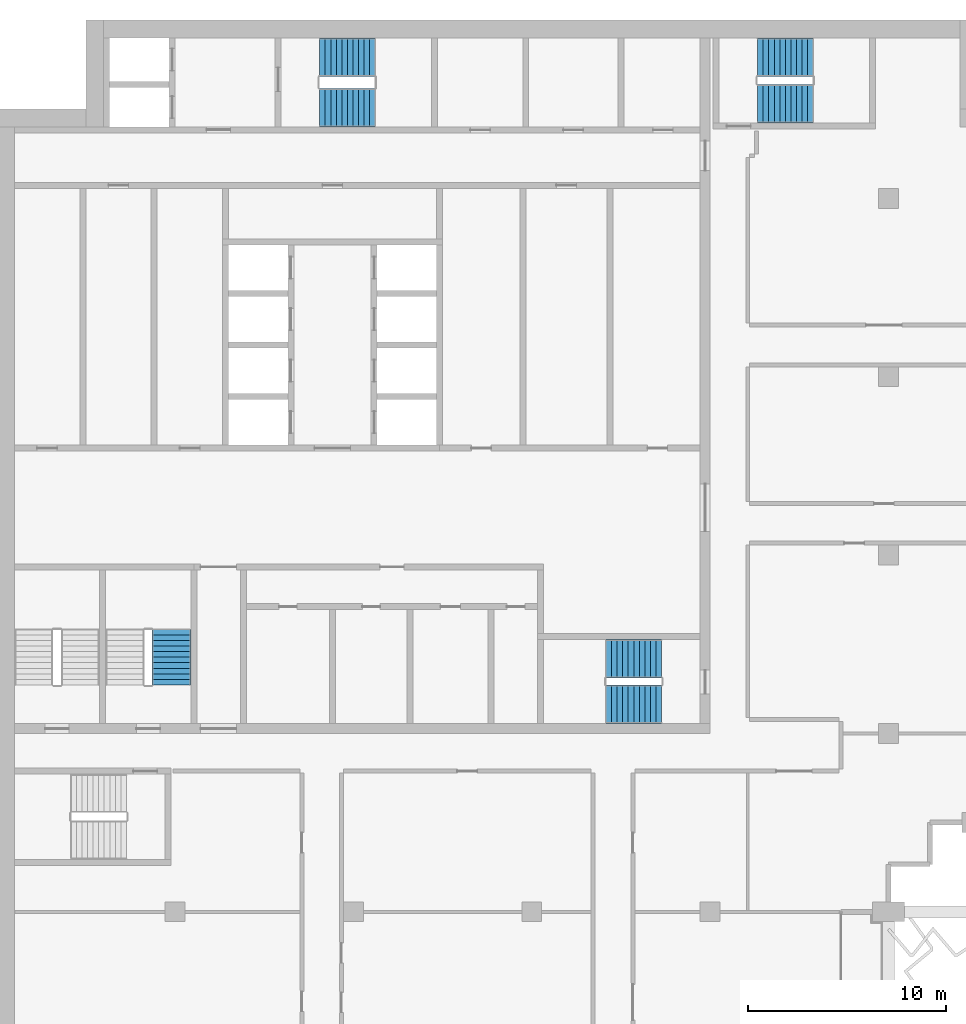
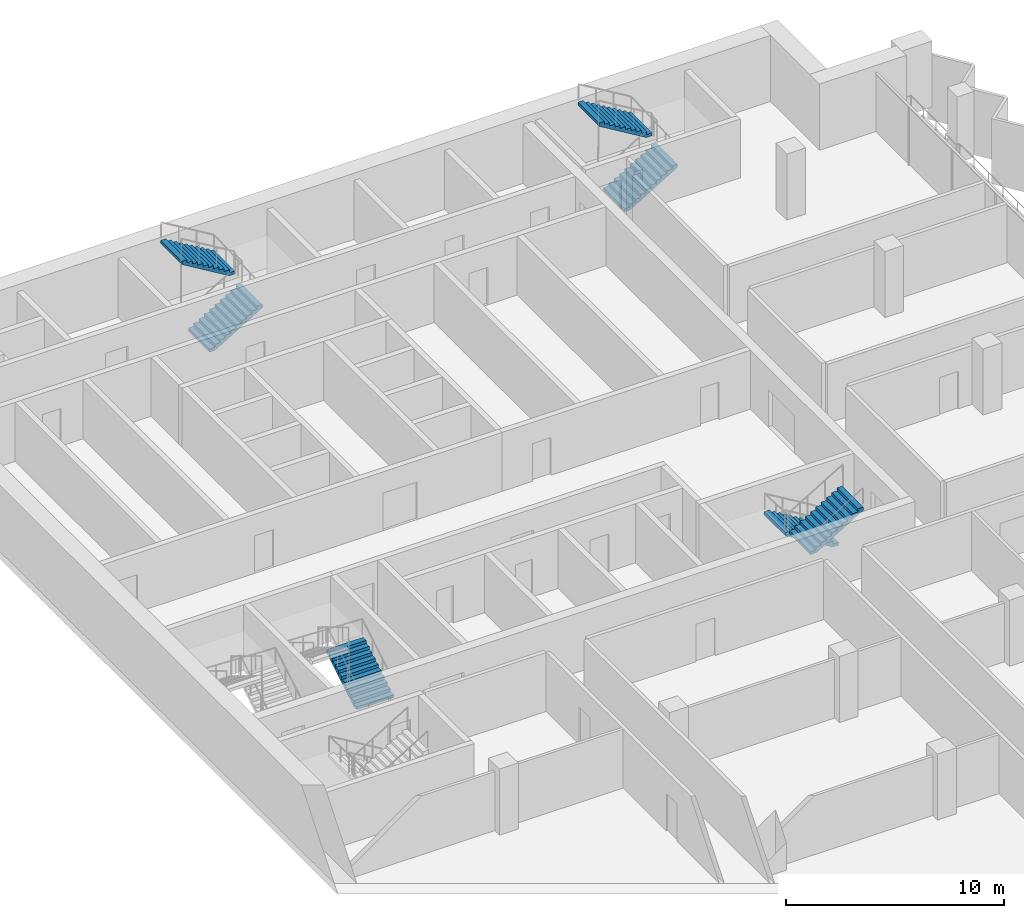
# One storey, part 12 of 16: 7 stair flights, 4 elements without a shape of their own.
"""IFC4 building model written with IfcOpenShell, lengths in metres."""

from ifc_helpers import new_model, si_unit, direction, frame, origin, place, context, subcontext, project, spatial, polyline, outline, extrude, material, type_object, element, aggregate, save


model = new_model("IFC4")

# Units and contexts
model_context = context("Model", 3, precision=1e-05, world=origin(), true_north=direction((0.0, 1.0)))
body_context = subcontext(model_context, "Body", "Model", "MODEL_VIEW")
ifc_project = project(units=[si_unit("LENGTHUNIT", "METRE"), si_unit("AREAUNIT", "SQUARE_METRE"), si_unit("VOLUMEUNIT", "CUBIC_METRE"), si_unit("PLANEANGLEUNIT", "RADIAN"), si_unit("MASSUNIT", "GRAM", prefix="KILO")], contexts=[model_context])

# Site, building, storey
site_placement = place(None, origin())
site = spatial("IfcSite", under=ifc_project, at=site_placement, CompositionType="ELEMENT")
building_placement = place(site_placement, origin())
building = spatial("IfcBuilding", under=site, at=building_placement, Name="Hunhe Ridgeline Campus", CompositionType="ELEMENT")
storey_placement = place(building_placement, frame((0.0, 0.0, 250.300048828125)))
storey = spatial("IfcBuildingStorey", under=building, at=storey_placement, Name="L64", CompositionType="ELEMENT", Elevation=250.300048828125)

# Stair, stair flights
ifc_material = material(Name="Concrete C40", Category="concrete")
stair_type = type_object("IfcStairType", Name="Reinforced concrete dog-leg stair 1950 Concrete C40", PredefinedType="HALF_TURN_STAIR", material=ifc_material)
stair_1_placement = place(storey_placement, origin())
stair_1 = element("IfcStair", 1, at=stair_1_placement, inside=storey, type_object=stair_type, Name="L64 S1", PredefinedType="HALF_TURN_STAIR")
stair_flight_type = type_object("IfcStairFlightType", Name="Reinforced concrete stair flight 1950 Concrete C40", PredefinedType="STRAIGHT", material=ifc_material)
stair_flight_1_placement = place(storey_placement, frame((16.300048828125, 94.574951171875, 0.0), z_axis=(0.0, 0.0, 1.0), x_axis=(1.0, 0.0, 0.0)))
stair_flight_1 = element("IfcStairFlight", 2, at=stair_flight_1_placement, type_object=stair_flight_type, Name="ST1 flight 1", NumberOfRisers=11, NumberOfTreads=10, PredefinedType="STRAIGHT", RiserHeight=0.168181818, TreadLength=0.28, context=body_context, shape_type="SweptSolid", body=[
    extrude(outline(polyline([(0.0, 0.0), (0.0, 0.168212890625), (0.280029296875, 0.168212890625), (0.280029296875, 0.33642578125), (0.56005859375, 0.33642578125), (0.56005859375, 0.504638671875), (0.840087890625, 0.504638671875), (0.840087890625, 0.672607421875), (1.1201171875, 0.672607421875), (1.1201171875, 0.8408203125), (1.39990234375, 0.8408203125), (1.39990234375, 1.009033203125), (1.679931640625, 1.009033203125), (1.679931640625, 1.17724609375), (1.9599609375, 1.17724609375), (1.9599609375, 1.345458984375), (2.239990234375, 1.345458984375), (2.239990234375, 1.513671875), (2.52001953125, 1.513671875), (2.52001953125, 1.681884765625), (2.800048828125, 1.681884765625), (2.800048828125, 1.85009765625), (2.800048828125, 1.5068359375), (0.291015625, 0.0), (0.0, 0.0)])), frame((0.0, 0.97509765625, 0.0), z_axis=(0.0, -1.0, 0.0), x_axis=(1.0, 0.0, 0.0)), (0.0, 0.0, 1.0), 1.949951171875),
    extrude(outline(polyline([(0.030029296875, 0.030029296875), (0.030029296875, 0.13818359375), (0.31005859375, 0.13818359375), (0.31005859375, 0.306396484375), (0.590087890625, 0.306396484375), (0.590087890625, 0.474609375), (0.8701171875, 0.474609375), (0.8701171875, 0.642578125), (1.14990234375, 0.642578125), (1.14990234375, 0.810791015625), (1.429931640625, 0.810791015625), (1.429931640625, 0.97900390625), (1.7099609375, 0.97900390625), (1.7099609375, 1.147216796875), (1.989990234375, 1.147216796875), (1.989990234375, 1.3154296875), (2.27001953125, 1.3154296875), (2.27001953125, 1.483642578125), (2.550048828125, 1.483642578125), (2.550048828125, 1.65185546875), (2.77001953125, 1.65185546875), (2.77001953125, 1.52392578125), (0.28271484375, 0.030029296875), (0.030029296875, 0.030029296875)])), frame((0.0, -0.070068359375, 0.0), z_axis=(0.0, -1.0, 0.0), x_axis=(1.0, 0.0, 0.0)), (0.0, 0.0, 1.0), 0.019775390625),
    extrude(outline(polyline([(0.030029296875, 0.030029296875), (0.030029296875, 0.13818359375), (0.31005859375, 0.13818359375), (0.31005859375, 0.306396484375), (0.590087890625, 0.306396484375), (0.590087890625, 0.474609375), (0.8701171875, 0.474609375), (0.8701171875, 0.642578125), (1.14990234375, 0.642578125), (1.14990234375, 0.810791015625), (1.429931640625, 0.810791015625), (1.429931640625, 0.97900390625), (1.7099609375, 0.97900390625), (1.7099609375, 1.147216796875), (1.989990234375, 1.147216796875), (1.989990234375, 1.3154296875), (2.27001953125, 1.3154296875), (2.27001953125, 1.483642578125), (2.550048828125, 1.483642578125), (2.550048828125, 1.65185546875), (2.77001953125, 1.65185546875), (2.77001953125, 1.52392578125), (0.28271484375, 0.030029296875), (0.030029296875, 0.030029296875)])), frame((0.0, 0.010009765625, 0.0), z_axis=(0.0, -1.0, 0.0), x_axis=(1.0, 0.0, 0.0)), (0.0, 0.0, 1.0), 0.019775390625),
    extrude(outline(polyline([(0.030029296875, 0.030029296875), (0.030029296875, 0.13818359375), (0.31005859375, 0.13818359375), (0.31005859375, 0.306396484375), (0.590087890625, 0.306396484375), (0.590087890625, 0.474609375), (0.8701171875, 0.474609375), (0.8701171875, 0.642578125), (1.14990234375, 0.642578125), (1.14990234375, 0.810791015625), (1.429931640625, 0.810791015625), (1.429931640625, 0.97900390625), (1.7099609375, 0.97900390625), (1.7099609375, 1.147216796875), (1.989990234375, 1.147216796875), (1.989990234375, 1.3154296875), (2.27001953125, 1.3154296875), (2.27001953125, 1.483642578125), (2.550048828125, 1.483642578125), (2.550048828125, 1.65185546875), (2.77001953125, 1.65185546875), (2.77001953125, 1.52392578125), (0.28271484375, 0.030029296875), (0.030029296875, 0.030029296875)])), frame((0.0, 0.090087890625, 0.0), z_axis=(0.0, -1.0, 0.0), x_axis=(1.0, 0.0, 0.0)), (0.0, 0.0, 1.0), 0.019775390625),
])
stair_flight_2_placement = place(storey_placement, frame((19.10009765625, 97.125, 1.849853515625), z_axis=(0.0, 0.0, 1.0), x_axis=(-1.0, 0.0, 0.0)))
stair_flight_2 = element("IfcStairFlight", 3, at=stair_flight_2_placement, type_object=stair_flight_type, Name="ST1 flight 2", NumberOfRisers=11, NumberOfTreads=10, PredefinedType="STRAIGHT", RiserHeight=0.168181818, TreadLength=0.28, context=body_context, shape_type="SweptSolid", body=[
    extrude(outline(polyline([(0.0, 0.0), (0.0, 0.168212890625), (0.280029296875, 0.168212890625), (0.280029296875, 0.33642578125), (0.56005859375, 0.33642578125), (0.56005859375, 0.504638671875), (0.840087890625, 0.504638671875), (0.840087890625, 0.672607421875), (1.1201171875, 0.672607421875), (1.1201171875, 0.8408203125), (1.39990234375, 0.8408203125), (1.39990234375, 1.009033203125), (1.679931640625, 1.009033203125), (1.679931640625, 1.17724609375), (1.9599609375, 1.17724609375), (1.9599609375, 1.345458984375), (2.239990234375, 1.345458984375), (2.239990234375, 1.513671875), (2.52001953125, 1.513671875), (2.52001953125, 1.681884765625), (2.800048828125, 1.681884765625), (2.800048828125, 1.85009765625), (2.800048828125, 1.5068359375), (0.291015625, 0.0), (0.0, 0.0)])), frame((0.0, 0.97509765625, 0.0), z_axis=(0.0, -1.0, 0.0), x_axis=(1.0, 0.0, 0.0)), (0.0, 0.0, 1.0), 1.949951171875),
    extrude(outline(polyline([(0.030029296875, 0.030029296875), (0.030029296875, 0.13818359375), (0.31005859375, 0.13818359375), (0.31005859375, 0.306396484375), (0.590087890625, 0.306396484375), (0.590087890625, 0.474609375), (0.8701171875, 0.474609375), (0.8701171875, 0.642578125), (1.14990234375, 0.642578125), (1.14990234375, 0.810791015625), (1.429931640625, 0.810791015625), (1.429931640625, 0.97900390625), (1.7099609375, 0.97900390625), (1.7099609375, 1.147216796875), (1.989990234375, 1.147216796875), (1.989990234375, 1.3154296875), (2.27001953125, 1.3154296875), (2.27001953125, 1.483642578125), (2.550048828125, 1.483642578125), (2.550048828125, 1.65185546875), (2.77001953125, 1.65185546875), (2.77001953125, 1.52392578125), (0.28271484375, 0.030029296875), (0.030029296875, 0.030029296875)])), frame((0.0, -0.070068359375, 0.0), z_axis=(0.0, -1.0, 0.0), x_axis=(1.0, 0.0, 0.0)), (0.0, 0.0, 1.0), 0.019775390625),
    extrude(outline(polyline([(0.030029296875, 0.030029296875), (0.030029296875, 0.13818359375), (0.31005859375, 0.13818359375), (0.31005859375, 0.306396484375), (0.590087890625, 0.306396484375), (0.590087890625, 0.474609375), (0.8701171875, 0.474609375), (0.8701171875, 0.642578125), (1.14990234375, 0.642578125), (1.14990234375, 0.810791015625), (1.429931640625, 0.810791015625), (1.429931640625, 0.97900390625), (1.7099609375, 0.97900390625), (1.7099609375, 1.147216796875), (1.989990234375, 1.147216796875), (1.989990234375, 1.3154296875), (2.27001953125, 1.3154296875), (2.27001953125, 1.483642578125), (2.550048828125, 1.483642578125), (2.550048828125, 1.65185546875), (2.77001953125, 1.65185546875), (2.77001953125, 1.52392578125), (0.28271484375, 0.030029296875), (0.030029296875, 0.030029296875)])), frame((0.0, 0.010009765625, 0.0), z_axis=(0.0, -1.0, 0.0), x_axis=(1.0, 0.0, 0.0)), (0.0, 0.0, 1.0), 0.019775390625),
    extrude(outline(polyline([(0.030029296875, 0.030029296875), (0.030029296875, 0.13818359375), (0.31005859375, 0.13818359375), (0.31005859375, 0.306396484375), (0.590087890625, 0.306396484375), (0.590087890625, 0.474609375), (0.8701171875, 0.474609375), (0.8701171875, 0.642578125), (1.14990234375, 0.642578125), (1.14990234375, 0.810791015625), (1.429931640625, 0.810791015625), (1.429931640625, 0.97900390625), (1.7099609375, 0.97900390625), (1.7099609375, 1.147216796875), (1.989990234375, 1.147216796875), (1.989990234375, 1.3154296875), (2.27001953125, 1.3154296875), (2.27001953125, 1.483642578125), (2.550048828125, 1.483642578125), (2.550048828125, 1.65185546875), (2.77001953125, 1.65185546875), (2.77001953125, 1.52392578125), (0.28271484375, 0.030029296875), (0.030029296875, 0.030029296875)])), frame((0.0, 0.090087890625, 0.0), z_axis=(0.0, -1.0, 0.0), x_axis=(1.0, 0.0, 0.0)), (0.0, 0.0, 1.0), 0.019775390625),
])
aggregate(stair_1, [stair_flight_1, stair_flight_2])

stair_2_placement = place(storey_placement, origin())
stair_2 = element("IfcStair", 4, at=stair_2_placement, inside=storey, type_object=stair_type, Name="L64 S2", PredefinedType="HALF_TURN_STAIR")
stair_flight_3_placement = place(storey_placement, frame((33.550048828125, 66.77490234375, 0.0), z_axis=(0.0, 0.0, 1.0), x_axis=(-1.0, 0.0, 0.0)))
stair_flight_3 = element("IfcStairFlight", 5, at=stair_flight_3_placement, type_object=stair_flight_type, Name="ST2 flight 1", NumberOfRisers=11, NumberOfTreads=10, PredefinedType="STRAIGHT", RiserHeight=0.168181818, TreadLength=0.28, context=body_context, shape_type="SweptSolid", body=[
    extrude(outline(polyline([(0.0, 0.0), (0.0, 0.168212890625), (0.280029296875, 0.168212890625), (0.280029296875, 0.33642578125), (0.56005859375, 0.33642578125), (0.56005859375, 0.504638671875), (0.840087890625, 0.504638671875), (0.840087890625, 0.672607421875), (1.1201171875, 0.672607421875), (1.1201171875, 0.8408203125), (1.39990234375, 0.8408203125), (1.39990234375, 1.009033203125), (1.679931640625, 1.009033203125), (1.679931640625, 1.17724609375), (1.9599609375, 1.17724609375), (1.9599609375, 1.345458984375), (2.239990234375, 1.345458984375), (2.239990234375, 1.513671875), (2.52001953125, 1.513671875), (2.52001953125, 1.681884765625), (2.800048828125, 1.681884765625), (2.800048828125, 1.85009765625), (2.800048828125, 1.5068359375), (0.291015625, 0.0), (0.0, 0.0)])), frame((0.0, 0.97509765625, 0.0), z_axis=(0.0, -1.0, 0.0), x_axis=(1.0, 0.0, 0.0)), (0.0, 0.0, 1.0), 1.949951171875),
    extrude(outline(polyline([(0.030029296875, 0.030029296875), (0.030029296875, 0.13818359375), (0.31005859375, 0.13818359375), (0.31005859375, 0.306396484375), (0.590087890625, 0.306396484375), (0.590087890625, 0.474609375), (0.8701171875, 0.474609375), (0.8701171875, 0.642578125), (1.14990234375, 0.642578125), (1.14990234375, 0.810791015625), (1.429931640625, 0.810791015625), (1.429931640625, 0.97900390625), (1.7099609375, 0.97900390625), (1.7099609375, 1.147216796875), (1.989990234375, 1.147216796875), (1.989990234375, 1.3154296875), (2.27001953125, 1.3154296875), (2.27001953125, 1.483642578125), (2.550048828125, 1.483642578125), (2.550048828125, 1.65185546875), (2.77001953125, 1.65185546875), (2.77001953125, 1.52392578125), (0.28271484375, 0.030029296875), (0.030029296875, 0.030029296875)])), frame((0.0, -0.070068359375, 0.0), z_axis=(0.0, -1.0, 0.0), x_axis=(1.0, 0.0, 0.0)), (0.0, 0.0, 1.0), 0.019775390625),
    extrude(outline(polyline([(0.030029296875, 0.030029296875), (0.030029296875, 0.13818359375), (0.31005859375, 0.13818359375), (0.31005859375, 0.306396484375), (0.590087890625, 0.306396484375), (0.590087890625, 0.474609375), (0.8701171875, 0.474609375), (0.8701171875, 0.642578125), (1.14990234375, 0.642578125), (1.14990234375, 0.810791015625), (1.429931640625, 0.810791015625), (1.429931640625, 0.97900390625), (1.7099609375, 0.97900390625), (1.7099609375, 1.147216796875), (1.989990234375, 1.147216796875), (1.989990234375, 1.3154296875), (2.27001953125, 1.3154296875), (2.27001953125, 1.483642578125), (2.550048828125, 1.483642578125), (2.550048828125, 1.65185546875), (2.77001953125, 1.65185546875), (2.77001953125, 1.52392578125), (0.28271484375, 0.030029296875), (0.030029296875, 0.030029296875)])), frame((0.0, 0.010009765625, 0.0), z_axis=(0.0, -1.0, 0.0), x_axis=(1.0, 0.0, 0.0)), (0.0, 0.0, 1.0), 0.019775390625),
    extrude(outline(polyline([(0.030029296875, 0.030029296875), (0.030029296875, 0.13818359375), (0.31005859375, 0.13818359375), (0.31005859375, 0.306396484375), (0.590087890625, 0.306396484375), (0.590087890625, 0.474609375), (0.8701171875, 0.474609375), (0.8701171875, 0.642578125), (1.14990234375, 0.642578125), (1.14990234375, 0.810791015625), (1.429931640625, 0.810791015625), (1.429931640625, 0.97900390625), (1.7099609375, 0.97900390625), (1.7099609375, 1.147216796875), (1.989990234375, 1.147216796875), (1.989990234375, 1.3154296875), (2.27001953125, 1.3154296875), (2.27001953125, 1.483642578125), (2.550048828125, 1.483642578125), (2.550048828125, 1.65185546875), (2.77001953125, 1.65185546875), (2.77001953125, 1.52392578125), (0.28271484375, 0.030029296875), (0.030029296875, 0.030029296875)])), frame((0.0, 0.090087890625, 0.0), z_axis=(0.0, -1.0, 0.0), x_axis=(1.0, 0.0, 0.0)), (0.0, 0.0, 1.0), 0.019775390625),
])
stair_flight_4_placement = place(storey_placement, frame((30.75, 64.47509765625, 1.849853515625), z_axis=(0.0, 0.0, 1.0), x_axis=(1.0, 0.0, 0.0)))
stair_flight_4 = element("IfcStairFlight", 6, at=stair_flight_4_placement, type_object=stair_flight_type, Name="ST2 flight 2", NumberOfRisers=11, NumberOfTreads=10, PredefinedType="STRAIGHT", RiserHeight=0.168181818, TreadLength=0.28, context=body_context, shape_type="SweptSolid", body=[
    extrude(outline(polyline([(0.0, 0.0), (0.0, 0.168212890625), (0.280029296875, 0.168212890625), (0.280029296875, 0.33642578125), (0.56005859375, 0.33642578125), (0.56005859375, 0.504638671875), (0.840087890625, 0.504638671875), (0.840087890625, 0.672607421875), (1.1201171875, 0.672607421875), (1.1201171875, 0.8408203125), (1.39990234375, 0.8408203125), (1.39990234375, 1.009033203125), (1.679931640625, 1.009033203125), (1.679931640625, 1.17724609375), (1.9599609375, 1.17724609375), (1.9599609375, 1.345458984375), (2.239990234375, 1.345458984375), (2.239990234375, 1.513671875), (2.52001953125, 1.513671875), (2.52001953125, 1.681884765625), (2.800048828125, 1.681884765625), (2.800048828125, 1.85009765625), (2.800048828125, 1.5068359375), (0.291015625, 0.0), (0.0, 0.0)])), frame((0.0, 0.97509765625, 0.0), z_axis=(0.0, -1.0, 0.0), x_axis=(1.0, 0.0, 0.0)), (0.0, 0.0, 1.0), 1.949951171875),
    extrude(outline(polyline([(0.030029296875, 0.030029296875), (0.030029296875, 0.13818359375), (0.31005859375, 0.13818359375), (0.31005859375, 0.306396484375), (0.590087890625, 0.306396484375), (0.590087890625, 0.474609375), (0.8701171875, 0.474609375), (0.8701171875, 0.642578125), (1.14990234375, 0.642578125), (1.14990234375, 0.810791015625), (1.429931640625, 0.810791015625), (1.429931640625, 0.97900390625), (1.7099609375, 0.97900390625), (1.7099609375, 1.147216796875), (1.989990234375, 1.147216796875), (1.989990234375, 1.3154296875), (2.27001953125, 1.3154296875), (2.27001953125, 1.483642578125), (2.550048828125, 1.483642578125), (2.550048828125, 1.65185546875), (2.77001953125, 1.65185546875), (2.77001953125, 1.52392578125), (0.28271484375, 0.030029296875), (0.030029296875, 0.030029296875)])), frame((0.0, -0.070068359375, 0.0), z_axis=(0.0, -1.0, 0.0), x_axis=(1.0, 0.0, 0.0)), (0.0, 0.0, 1.0), 0.019775390625),
    extrude(outline(polyline([(0.030029296875, 0.030029296875), (0.030029296875, 0.13818359375), (0.31005859375, 0.13818359375), (0.31005859375, 0.306396484375), (0.590087890625, 0.306396484375), (0.590087890625, 0.474609375), (0.8701171875, 0.474609375), (0.8701171875, 0.642578125), (1.14990234375, 0.642578125), (1.14990234375, 0.810791015625), (1.429931640625, 0.810791015625), (1.429931640625, 0.97900390625), (1.7099609375, 0.97900390625), (1.7099609375, 1.147216796875), (1.989990234375, 1.147216796875), (1.989990234375, 1.3154296875), (2.27001953125, 1.3154296875), (2.27001953125, 1.483642578125), (2.550048828125, 1.483642578125), (2.550048828125, 1.65185546875), (2.77001953125, 1.65185546875), (2.77001953125, 1.52392578125), (0.28271484375, 0.030029296875), (0.030029296875, 0.030029296875)])), frame((0.0, 0.010009765625, 0.0), z_axis=(0.0, -1.0, 0.0), x_axis=(1.0, 0.0, 0.0)), (0.0, 0.0, 1.0), 0.019775390625),
    extrude(outline(polyline([(0.030029296875, 0.030029296875), (0.030029296875, 0.13818359375), (0.31005859375, 0.13818359375), (0.31005859375, 0.306396484375), (0.590087890625, 0.306396484375), (0.590087890625, 0.474609375), (0.8701171875, 0.474609375), (0.8701171875, 0.642578125), (1.14990234375, 0.642578125), (1.14990234375, 0.810791015625), (1.429931640625, 0.810791015625), (1.429931640625, 0.97900390625), (1.7099609375, 0.97900390625), (1.7099609375, 1.147216796875), (1.989990234375, 1.147216796875), (1.989990234375, 1.3154296875), (2.27001953125, 1.3154296875), (2.27001953125, 1.483642578125), (2.550048828125, 1.483642578125), (2.550048828125, 1.65185546875), (2.77001953125, 1.65185546875), (2.77001953125, 1.52392578125), (0.28271484375, 0.030029296875), (0.030029296875, 0.030029296875)])), frame((0.0, 0.090087890625, 0.0), z_axis=(0.0, -1.0, 0.0), x_axis=(1.0, 0.0, 0.0)), (0.0, 0.0, 1.0), 0.019775390625),
])
aggregate(stair_2, [stair_flight_3, stair_flight_4])

# Stair, stair flight
stair_3_placement = place(storey_placement, origin())
stair_3 = element("IfcStair", 7, at=stair_3_placement, inside=storey, type_object=stair_type, Name="L64 S4", PredefinedType="HALF_TURN_STAIR")
stair_flight_5_placement = place(storey_placement, frame((8.824951171875, 65.449951171875, 0.0), z_axis=(0.0, 0.0, 1.0), x_axis=(0.0, 1.0, 0.0)))
stair_flight_5 = element("IfcStairFlight", 8, at=stair_flight_5_placement, type_object=stair_flight_type, Name="ST4 flight 1", NumberOfRisers=11, NumberOfTreads=10, PredefinedType="STRAIGHT", RiserHeight=0.168181818, TreadLength=0.28, context=body_context, shape_type="SweptSolid", body=[
    extrude(outline(polyline([(0.0, 0.0), (0.0, 0.168212890625), (0.280029296875, 0.168212890625), (0.280029296875, 0.33642578125), (0.56005859375, 0.33642578125), (0.56005859375, 0.504638671875), (0.840087890625, 0.504638671875), (0.840087890625, 0.672607421875), (1.1201171875, 0.672607421875), (1.1201171875, 0.8408203125), (1.39990234375, 0.8408203125), (1.39990234375, 1.009033203125), (1.679931640625, 1.009033203125), (1.679931640625, 1.17724609375), (1.9599609375, 1.17724609375), (1.9599609375, 1.345458984375), (2.239990234375, 1.345458984375), (2.239990234375, 1.513671875), (2.52001953125, 1.513671875), (2.52001953125, 1.681884765625), (2.800048828125, 1.681884765625), (2.800048828125, 1.85009765625), (2.800048828125, 1.5068359375), (0.291015625, 0.0), (0.0, 0.0)])), frame((0.0, 0.97509765625, 0.0), z_axis=(0.0, -1.0, 0.0), x_axis=(1.0, 0.0, 0.0)), (0.0, 0.0, 1.0), 1.949951171875),
    extrude(outline(polyline([(0.030029296875, 0.030029296875), (0.030029296875, 0.13818359375), (0.31005859375, 0.13818359375), (0.31005859375, 0.306396484375), (0.590087890625, 0.306396484375), (0.590087890625, 0.474609375), (0.8701171875, 0.474609375), (0.8701171875, 0.642578125), (1.14990234375, 0.642578125), (1.14990234375, 0.810791015625), (1.429931640625, 0.810791015625), (1.429931640625, 0.97900390625), (1.7099609375, 0.97900390625), (1.7099609375, 1.147216796875), (1.989990234375, 1.147216796875), (1.989990234375, 1.3154296875), (2.27001953125, 1.3154296875), (2.27001953125, 1.483642578125), (2.550048828125, 1.483642578125), (2.550048828125, 1.65185546875), (2.77001953125, 1.65185546875), (2.77001953125, 1.52392578125), (0.28271484375, 0.030029296875), (0.030029296875, 0.030029296875)])), frame((0.0, -0.070068359375, 0.0), z_axis=(0.0, -1.0, 0.0), x_axis=(1.0, 0.0, 0.0)), (0.0, 0.0, 1.0), 0.019775390625),
    extrude(outline(polyline([(0.030029296875, 0.030029296875), (0.030029296875, 0.13818359375), (0.31005859375, 0.13818359375), (0.31005859375, 0.306396484375), (0.590087890625, 0.306396484375), (0.590087890625, 0.474609375), (0.8701171875, 0.474609375), (0.8701171875, 0.642578125), (1.14990234375, 0.642578125), (1.14990234375, 0.810791015625), (1.429931640625, 0.810791015625), (1.429931640625, 0.97900390625), (1.7099609375, 0.97900390625), (1.7099609375, 1.147216796875), (1.989990234375, 1.147216796875), (1.989990234375, 1.3154296875), (2.27001953125, 1.3154296875), (2.27001953125, 1.483642578125), (2.550048828125, 1.483642578125), (2.550048828125, 1.65185546875), (2.77001953125, 1.65185546875), (2.77001953125, 1.52392578125), (0.28271484375, 0.030029296875), (0.030029296875, 0.030029296875)])), frame((0.0, 0.010009765625, 0.0), z_axis=(0.0, -1.0, 0.0), x_axis=(1.0, 0.0, 0.0)), (0.0, 0.0, 1.0), 0.019775390625),
    extrude(outline(polyline([(0.030029296875, 0.030029296875), (0.030029296875, 0.13818359375), (0.31005859375, 0.13818359375), (0.31005859375, 0.306396484375), (0.590087890625, 0.306396484375), (0.590087890625, 0.474609375), (0.8701171875, 0.474609375), (0.8701171875, 0.642578125), (1.14990234375, 0.642578125), (1.14990234375, 0.810791015625), (1.429931640625, 0.810791015625), (1.429931640625, 0.97900390625), (1.7099609375, 0.97900390625), (1.7099609375, 1.147216796875), (1.989990234375, 1.147216796875), (1.989990234375, 1.3154296875), (2.27001953125, 1.3154296875), (2.27001953125, 1.483642578125), (2.550048828125, 1.483642578125), (2.550048828125, 1.65185546875), (2.77001953125, 1.65185546875), (2.77001953125, 1.52392578125), (0.28271484375, 0.030029296875), (0.030029296875, 0.030029296875)])), frame((0.0, 0.090087890625, 0.0), z_axis=(0.0, -1.0, 0.0), x_axis=(1.0, 0.0, 0.0)), (0.0, 0.0, 1.0), 0.019775390625),
])
aggregate(stair_3, [stair_flight_5])

# Stair, stair flights
stair_4_placement = place(storey_placement, origin())
stair_4 = element("IfcStair", 9, at=stair_4_placement, inside=storey, type_object=stair_type, Name="L64 E1", PredefinedType="HALF_TURN_STAIR")
stair_flight_6_placement = place(storey_placement, frame((38.39990234375, 94.77490234375, 0.0), z_axis=(0.0, 0.0, 1.0), x_axis=(1.0, 0.0, 0.0)))
stair_flight_6 = element("IfcStairFlight", 10, at=stair_flight_6_placement, type_object=stair_flight_type, Name="ST5 flight 1", NumberOfRisers=11, NumberOfTreads=10, PredefinedType="STRAIGHT", RiserHeight=0.168181818, TreadLength=0.28, context=body_context, shape_type="SweptSolid", body=[
    extrude(outline(polyline([(0.0, 0.0), (0.0, 0.168212890625), (0.280029296875, 0.168212890625), (0.280029296875, 0.33642578125), (0.56005859375, 0.33642578125), (0.56005859375, 0.504638671875), (0.840087890625, 0.504638671875), (0.840087890625, 0.672607421875), (1.1201171875, 0.672607421875), (1.1201171875, 0.8408203125), (1.39990234375, 0.8408203125), (1.39990234375, 1.009033203125), (1.679931640625, 1.009033203125), (1.679931640625, 1.17724609375), (1.9599609375, 1.17724609375), (1.9599609375, 1.345458984375), (2.239990234375, 1.345458984375), (2.239990234375, 1.513671875), (2.52001953125, 1.513671875), (2.52001953125, 1.681884765625), (2.800048828125, 1.681884765625), (2.800048828125, 1.85009765625), (2.800048828125, 1.5068359375), (0.291015625, 0.0), (0.0, 0.0)])), frame((0.0, 0.97509765625, 0.0), z_axis=(0.0, -1.0, 0.0), x_axis=(1.0, 0.0, 0.0)), (0.0, 0.0, 1.0), 1.949951171875),
    extrude(outline(polyline([(0.030029296875, 0.030029296875), (0.030029296875, 0.13818359375), (0.31005859375, 0.13818359375), (0.31005859375, 0.306396484375), (0.590087890625, 0.306396484375), (0.590087890625, 0.474609375), (0.8701171875, 0.474609375), (0.8701171875, 0.642578125), (1.14990234375, 0.642578125), (1.14990234375, 0.810791015625), (1.429931640625, 0.810791015625), (1.429931640625, 0.97900390625), (1.7099609375, 0.97900390625), (1.7099609375, 1.147216796875), (1.989990234375, 1.147216796875), (1.989990234375, 1.3154296875), (2.27001953125, 1.3154296875), (2.27001953125, 1.483642578125), (2.550048828125, 1.483642578125), (2.550048828125, 1.65185546875), (2.77001953125, 1.65185546875), (2.77001953125, 1.52392578125), (0.28271484375, 0.030029296875), (0.030029296875, 0.030029296875)])), frame((0.0, -0.070068359375, 0.0), z_axis=(0.0, -1.0, 0.0), x_axis=(1.0, 0.0, 0.0)), (0.0, 0.0, 1.0), 0.019775390625),
    extrude(outline(polyline([(0.030029296875, 0.030029296875), (0.030029296875, 0.13818359375), (0.31005859375, 0.13818359375), (0.31005859375, 0.306396484375), (0.590087890625, 0.306396484375), (0.590087890625, 0.474609375), (0.8701171875, 0.474609375), (0.8701171875, 0.642578125), (1.14990234375, 0.642578125), (1.14990234375, 0.810791015625), (1.429931640625, 0.810791015625), (1.429931640625, 0.97900390625), (1.7099609375, 0.97900390625), (1.7099609375, 1.147216796875), (1.989990234375, 1.147216796875), (1.989990234375, 1.3154296875), (2.27001953125, 1.3154296875), (2.27001953125, 1.483642578125), (2.550048828125, 1.483642578125), (2.550048828125, 1.65185546875), (2.77001953125, 1.65185546875), (2.77001953125, 1.52392578125), (0.28271484375, 0.030029296875), (0.030029296875, 0.030029296875)])), frame((0.0, 0.010009765625, 0.0), z_axis=(0.0, -1.0, 0.0), x_axis=(1.0, 0.0, 0.0)), (0.0, 0.0, 1.0), 0.019775390625),
    extrude(outline(polyline([(0.030029296875, 0.030029296875), (0.030029296875, 0.13818359375), (0.31005859375, 0.13818359375), (0.31005859375, 0.306396484375), (0.590087890625, 0.306396484375), (0.590087890625, 0.474609375), (0.8701171875, 0.474609375), (0.8701171875, 0.642578125), (1.14990234375, 0.642578125), (1.14990234375, 0.810791015625), (1.429931640625, 0.810791015625), (1.429931640625, 0.97900390625), (1.7099609375, 0.97900390625), (1.7099609375, 1.147216796875), (1.989990234375, 1.147216796875), (1.989990234375, 1.3154296875), (2.27001953125, 1.3154296875), (2.27001953125, 1.483642578125), (2.550048828125, 1.483642578125), (2.550048828125, 1.65185546875), (2.77001953125, 1.65185546875), (2.77001953125, 1.52392578125), (0.28271484375, 0.030029296875), (0.030029296875, 0.030029296875)])), frame((0.0, 0.090087890625, 0.0), z_axis=(0.0, -1.0, 0.0), x_axis=(1.0, 0.0, 0.0)), (0.0, 0.0, 1.0), 0.019775390625),
])
stair_flight_7_placement = place(storey_placement, frame((41.199951171875, 97.125, 1.849853515625), z_axis=(0.0, 0.0, 1.0), x_axis=(-1.0, 0.0, 0.0)))
stair_flight_7 = element("IfcStairFlight", 11, at=stair_flight_7_placement, type_object=stair_flight_type, Name="ST5 flight 2", NumberOfRisers=11, NumberOfTreads=10, PredefinedType="STRAIGHT", RiserHeight=0.168181818, TreadLength=0.28, context=body_context, shape_type="SweptSolid", body=[
    extrude(outline(polyline([(0.0, 0.0), (0.0, 0.168212890625), (0.280029296875, 0.168212890625), (0.280029296875, 0.33642578125), (0.56005859375, 0.33642578125), (0.56005859375, 0.504638671875), (0.840087890625, 0.504638671875), (0.840087890625, 0.672607421875), (1.1201171875, 0.672607421875), (1.1201171875, 0.8408203125), (1.39990234375, 0.8408203125), (1.39990234375, 1.009033203125), (1.679931640625, 1.009033203125), (1.679931640625, 1.17724609375), (1.9599609375, 1.17724609375), (1.9599609375, 1.345458984375), (2.239990234375, 1.345458984375), (2.239990234375, 1.513671875), (2.52001953125, 1.513671875), (2.52001953125, 1.681884765625), (2.800048828125, 1.681884765625), (2.800048828125, 1.85009765625), (2.800048828125, 1.5068359375), (0.291015625, 0.0), (0.0, 0.0)])), frame((0.0, 0.97509765625, 0.0), z_axis=(0.0, -1.0, 0.0), x_axis=(1.0, 0.0, 0.0)), (0.0, 0.0, 1.0), 1.949951171875),
    extrude(outline(polyline([(0.030029296875, 0.030029296875), (0.030029296875, 0.13818359375), (0.31005859375, 0.13818359375), (0.31005859375, 0.306396484375), (0.590087890625, 0.306396484375), (0.590087890625, 0.474609375), (0.8701171875, 0.474609375), (0.8701171875, 0.642578125), (1.14990234375, 0.642578125), (1.14990234375, 0.810791015625), (1.429931640625, 0.810791015625), (1.429931640625, 0.97900390625), (1.7099609375, 0.97900390625), (1.7099609375, 1.147216796875), (1.989990234375, 1.147216796875), (1.989990234375, 1.3154296875), (2.27001953125, 1.3154296875), (2.27001953125, 1.483642578125), (2.550048828125, 1.483642578125), (2.550048828125, 1.65185546875), (2.77001953125, 1.65185546875), (2.77001953125, 1.52392578125), (0.28271484375, 0.030029296875), (0.030029296875, 0.030029296875)])), frame((0.0, -0.070068359375, 0.0), z_axis=(0.0, -1.0, 0.0), x_axis=(1.0, 0.0, 0.0)), (0.0, 0.0, 1.0), 0.019775390625),
    extrude(outline(polyline([(0.030029296875, 0.030029296875), (0.030029296875, 0.13818359375), (0.31005859375, 0.13818359375), (0.31005859375, 0.306396484375), (0.590087890625, 0.306396484375), (0.590087890625, 0.474609375), (0.8701171875, 0.474609375), (0.8701171875, 0.642578125), (1.14990234375, 0.642578125), (1.14990234375, 0.810791015625), (1.429931640625, 0.810791015625), (1.429931640625, 0.97900390625), (1.7099609375, 0.97900390625), (1.7099609375, 1.147216796875), (1.989990234375, 1.147216796875), (1.989990234375, 1.3154296875), (2.27001953125, 1.3154296875), (2.27001953125, 1.483642578125), (2.550048828125, 1.483642578125), (2.550048828125, 1.65185546875), (2.77001953125, 1.65185546875), (2.77001953125, 1.52392578125), (0.28271484375, 0.030029296875), (0.030029296875, 0.030029296875)])), frame((0.0, 0.010009765625, 0.0), z_axis=(0.0, -1.0, 0.0), x_axis=(1.0, 0.0, 0.0)), (0.0, 0.0, 1.0), 0.019775390625),
    extrude(outline(polyline([(0.030029296875, 0.030029296875), (0.030029296875, 0.13818359375), (0.31005859375, 0.13818359375), (0.31005859375, 0.306396484375), (0.590087890625, 0.306396484375), (0.590087890625, 0.474609375), (0.8701171875, 0.474609375), (0.8701171875, 0.642578125), (1.14990234375, 0.642578125), (1.14990234375, 0.810791015625), (1.429931640625, 0.810791015625), (1.429931640625, 0.97900390625), (1.7099609375, 0.97900390625), (1.7099609375, 1.147216796875), (1.989990234375, 1.147216796875), (1.989990234375, 1.3154296875), (2.27001953125, 1.3154296875), (2.27001953125, 1.483642578125), (2.550048828125, 1.483642578125), (2.550048828125, 1.65185546875), (2.77001953125, 1.65185546875), (2.77001953125, 1.52392578125), (0.28271484375, 0.030029296875), (0.030029296875, 0.030029296875)])), frame((0.0, 0.090087890625, 0.0), z_axis=(0.0, -1.0, 0.0), x_axis=(1.0, 0.0, 0.0)), (0.0, 0.0, 1.0), 0.019775390625),
])
aggregate(stair_4, [stair_flight_6, stair_flight_7])

save(model, "model.ifc")
